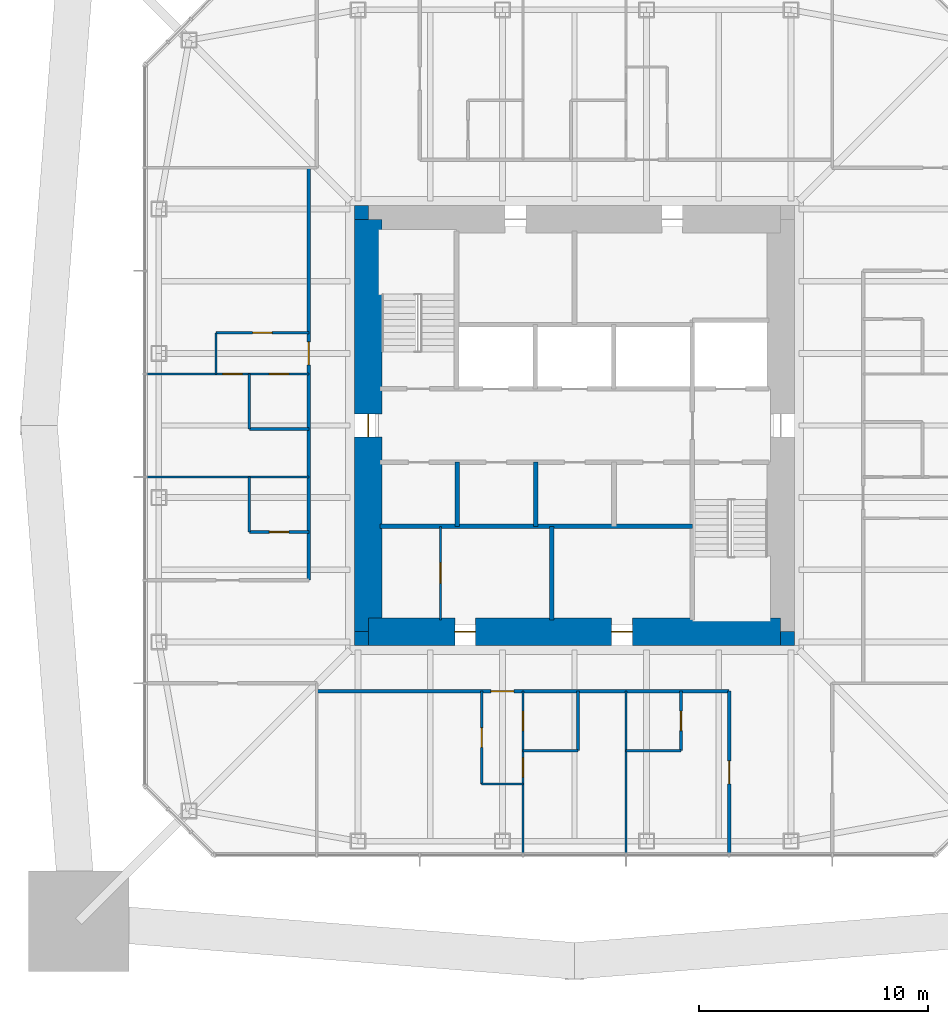
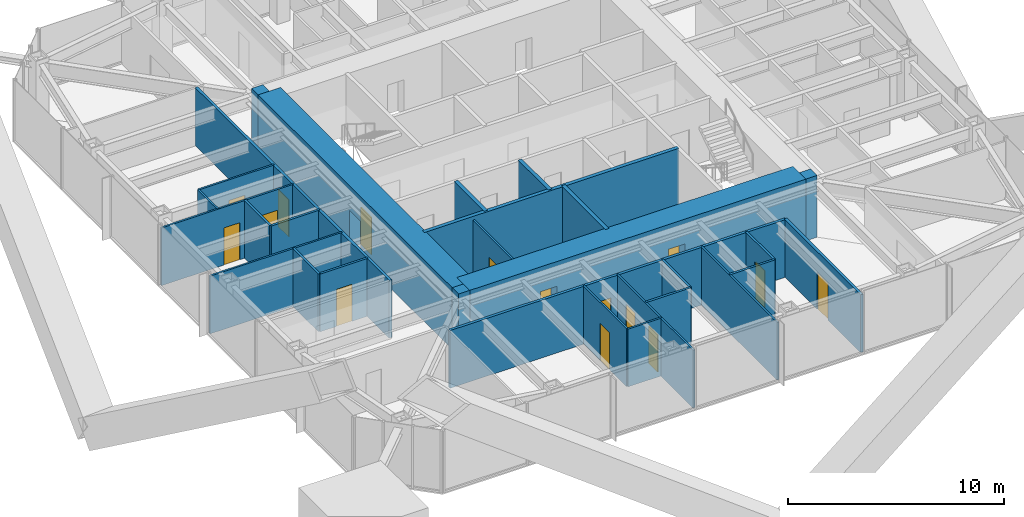
# One storey, part 8 of 13: 29 walls, 15 doors, 15 openings.
"""IFC4 building model written with IfcOpenShell, lengths in metres."""

from ifc_helpers import new_model, si_unit, direction, frame, frame_2d, origin, place, context, subcontext, project, spatial, rectangle, extrude, material, layer, layer_set, type_object, element, fill, save


model = new_model("IFC4")

# Units and contexts
model_context = context("Model", 3, precision=1e-05, world=origin(), true_north=direction((0.0, 1.0)))
body_context = subcontext(model_context, "Body", "Model", "MODEL_VIEW")
ifc_project = project(units=[si_unit("LENGTHUNIT", "METRE"), si_unit("AREAUNIT", "SQUARE_METRE"), si_unit("VOLUMEUNIT", "CUBIC_METRE"), si_unit("PLANEANGLEUNIT", "RADIAN"), si_unit("MASSUNIT", "GRAM", prefix="KILO")], contexts=[model_context])

# Site, building, storey
site_placement = place(None, origin())
site = spatial("IfcSite", under=ifc_project, at=site_placement, CompositionType="ELEMENT")
building_placement = place(site_placement, origin())
building = spatial("IfcBuilding", under=site, at=building_placement, Name="Iwan Alto Co-Living Towers", CompositionType="ELEMENT")
storey_placement = place(building_placement, frame((0.0, 0.0, 167.0)))
storey = spatial("IfcBuildingStorey", under=building, at=storey_placement, Name="L45", CompositionType="ELEMENT", Elevation=167.0)

# Wall, opening, door
ifc_material_1 = material(Name="Gypsum board")
ifc_layer_1 = layer(ifc_material_1, 0.02490234375, Name="Board", Category="Finish")
ifc_material_2 = material(Name="Steel ASTM A1003 ST33H cold-formed studs", Category="steel")
ifc_layer_2 = layer(ifc_material_2, 0.10009765625, Name="Studs", Category="Framing")
ifc_layer_3 = layer(ifc_material_1, 0.02490234375, Name="Board", Category="Finish")
ifc_layer_set_1 = layer_set([ifc_layer_1, ifc_layer_2, ifc_layer_3], Name="CORRIDOR WALL 150")
wall_type_1 = type_object("IfcWallType", Name="CORRIDOR WALL 150", PredefinedType="PARTITIONING", material=ifc_layer_set_1)
wall_1_placement = place(storey_placement, frame((-11.25, -11.60009765625, 0.0), z_axis=(0.0, 0.0, 1.0), x_axis=(1.0, 0.0, 0.0)))
wall_1 = element("IfcWall", 1, at=wall_1_placement, inside=storey, type_object=wall_type_1, Name="Partition L45", PredefinedType="PARTITIONING", context=body_context, shape_type="SweptSolid", body=[
    extrude(rectangle(XDim=18.0, YDim=0.14990234375, at=frame_2d((9.0, 0.0))), origin(), (0.0, 0.0, 1.0), 3.27001953125),
])
opening_1_placement = place(wall_1_placement, frame((7.60009765625, 0.0, 0.0)))
opening_1 = element("IfcOpeningElement", 2, at=opening_1_placement, cuts=wall_1, Name="Opening D3", PredefinedType="OPENING", context=body_context, shape_type="SweptSolid", body=[
    extrude(rectangle(XDim=1.0, YDim=2.10009765625, at=frame_2d((0.5, 1.050048828125))), frame((0.0, 0.0849609375, 0.0), z_axis=(0.0, -1.0, 0.0), x_axis=(1.0, 0.0, 0.0)), (0.0, 0.0, 1.0), 0.169921875),
])
ifc_material_3 = material(Name="Steel frame with timber leaf", Category="steel")
door_type_1 = type_object("IfcDoorType", Name="FLAT ENTRANCE DOOR FD30S 1000X2100", OperationType="SINGLE_SWING_LEFT", PredefinedType="DOOR", material=ifc_material_3)
door_1_placement = place(opening_1_placement, frame((1.0, 0.0, 0.0), z_axis=(0.0, 0.0, 1.0), x_axis=(-1.0, 0.0, 0.0)))
door_1 = element("IfcDoor", 3, at=door_1_placement, inside=storey, type_object=door_type_1, Name="Apartment foyer door L45", OperationType="SINGLE_SWING_RIGHT", OverallHeight=2.10009765625, OverallWidth=1.0, PredefinedType="DOOR", context=body_context, shape_type="SweptSolid", body=[
    extrude(rectangle(XDim=1.0, YDim=2.10009765625, at=frame_2d((0.5, 1.050048828125))), frame((0.0, 0.02490234375, 0.0), z_axis=(0.0, -1.0, 0.0), x_axis=(1.0, 0.0, 0.0)), (0.0, 0.0, 1.0), 0.050048828125),
])
fill(opening_1, door_1)

wall_2_placement = place(storey_placement, frame((6.75, -18.68994140625, 0.0), z_axis=(0.0, 0.0, 1.0), x_axis=(0.0, 1.0, 0.0)))
wall_2 = element("IfcWall", 4, at=wall_2_placement, inside=storey, type_object=wall_type_1, Name="Partition L45", PredefinedType="PARTITIONING", context=body_context, shape_type="SweptSolid", body=[
    extrude(rectangle(XDim=7.08984375, YDim=0.14990234375, at=frame_2d((3.544921875, 0.0))), origin(), (0.0, 0.0, 1.0), 3.27001953125),
])
opening_2_placement = place(wall_2_placement, frame((3.044921875, 0.0, 0.0)))
opening_2 = element("IfcOpeningElement", 5, at=opening_2_placement, cuts=wall_2, Name="Opening D3", PredefinedType="OPENING", context=body_context, shape_type="SweptSolid", body=[
    extrude(rectangle(XDim=1.0, YDim=2.10009765625, at=frame_2d((0.5, 1.050048828125))), frame((0.0, 0.0849609375, 0.0), z_axis=(0.0, -1.0, 0.0), x_axis=(1.0, 0.0, 0.0)), (0.0, 0.0, 1.0), 0.169921875),
])
door_2_placement = place(opening_2_placement, origin())
door_2 = element("IfcDoor", 6, at=door_2_placement, inside=storey, type_object=door_type_1, Name="Studio door L45", OperationType="SINGLE_SWING_RIGHT", OverallHeight=2.10009765625, OverallWidth=1.0, PredefinedType="DOOR", context=body_context, shape_type="SweptSolid", body=[
    extrude(rectangle(XDim=1.0, YDim=2.10009765625, at=frame_2d((0.5, 1.050048828125))), frame((0.0, 0.02490234375, 0.0), z_axis=(0.0, -1.0, 0.0), x_axis=(1.0, 0.0, 0.0)), (0.0, 0.0, 1.0), 0.050048828125),
])
fill(opening_2, door_2)

wall_3_placement = place(storey_placement, frame((-11.60009765625, -6.75, 0.0), z_axis=(0.0, 0.0, 1.0), x_axis=(0.0, 1.0, 0.0)))
wall_3 = element("IfcWall", 7, at=wall_3_placement, inside=storey, type_object=wall_type_1, Name="Partition L45", PredefinedType="PARTITIONING", context=body_context, shape_type="SweptSolid", body=[
    extrude(rectangle(XDim=18.0, YDim=0.14990234375, at=frame_2d((9.0, 0.0))), origin(), (0.0, 0.0, 1.0), 3.27001953125),
])
opening_3_placement = place(wall_3_placement, frame((9.39990234375, 0.0, 0.0)))
opening_3 = element("IfcOpeningElement", 8, at=opening_3_placement, cuts=wall_3, Name="Opening D3", PredefinedType="OPENING", context=body_context, shape_type="SweptSolid", body=[
    extrude(rectangle(XDim=1.0, YDim=2.10009765625, at=frame_2d((0.5, 1.050048828125))), frame((0.0, 0.0849609375, 0.0), z_axis=(0.0, -1.0, 0.0), x_axis=(1.0, 0.0, 0.0)), (0.0, 0.0, 1.0), 0.169921875),
])
door_3_placement = place(opening_3_placement, origin())
door_3 = element("IfcDoor", 9, at=door_3_placement, inside=storey, type_object=door_type_1, Name="Apartment foyer door L45", OperationType="SINGLE_SWING_LEFT", OverallHeight=2.10009765625, OverallWidth=1.0, PredefinedType="DOOR", context=body_context, shape_type="SweptSolid", body=[
    extrude(rectangle(XDim=1.0, YDim=2.10009765625, at=frame_2d((0.5, 1.050048828125))), frame((0.0, 0.02490234375, 0.0), z_axis=(0.0, -1.0, 0.0), x_axis=(1.0, 0.0, 0.0)), (0.0, 0.0, 1.0), 0.050048828125),
])
fill(opening_3, door_3)

# Walls
ifc_layer_4 = layer(ifc_material_1, 0.012451171875, Name="Board", Category="Finish")
ifc_layer_5 = layer(ifc_material_2, 0.074951171875, Name="Studs", Category="Framing")
ifc_layer_6 = layer(ifc_material_1, 0.012451171875, Name="Board", Category="Finish")
ifc_layer_set_2 = layer_set([ifc_layer_4, ifc_layer_5, ifc_layer_6], Name="PARTITION 100")
wall_type_2 = type_object("IfcWallType", Name="PARTITION 100", PredefinedType="PARTITIONING", material=ifc_layer_set_2)
wall_4_placement = place(storey_placement, frame((-4.050048828125, -15.64990234375, 0.0), z_axis=(0.0, 0.0, 1.0), x_axis=(1.0, 0.0, 0.0)))
element("IfcWall", 10, at=wall_4_placement, inside=storey, type_object=wall_type_2, Name="Partition L45", PredefinedType="PARTITIONING", context=body_context, shape_type="SweptSolid", body=[
    extrude(rectangle(XDim=1.800048828125, YDim=0.10009765625, at=frame_2d((0.89990234375, 0.0))), origin(), (0.0, 0.0, 1.0), 3.27001953125),
])
wall_5_placement = place(storey_placement, frame((-18.68994140625, -2.25, 0.0), z_axis=(0.0, 0.0, 1.0), x_axis=(1.0, 0.0, 0.0)))
element("IfcWall", 11, at=wall_5_placement, inside=storey, type_object=wall_type_2, Name="Partition L45", PredefinedType="PARTITIONING", context=body_context, shape_type="SweptSolid", body=[
    extrude(rectangle(XDim=7.08984375, YDim=0.10009765625, at=frame_2d((3.544921875, 0.0))), origin(), (0.0, 0.0, 1.0), 3.27001953125),
])

# Wall, openings, doors
wall_6_placement = place(storey_placement, frame((-18.68994140625, 2.25, 0.0), z_axis=(0.0, 0.0, 1.0), x_axis=(1.0, 0.0, 0.0)))
wall_6 = element("IfcWall", 12, at=wall_6_placement, inside=storey, type_object=wall_type_2, Name="Partition L45", PredefinedType="PARTITIONING", context=body_context, shape_type="SweptSolid", body=[
    extrude(rectangle(XDim=7.08984375, YDim=0.10009765625, at=frame_2d((3.544921875, 0.0))), origin(), (0.0, 0.0, 1.0), 3.27001953125),
])
opening_4_placement = place(wall_6_placement, frame((3.340087890625, 0.0, 0.0)))
opening_4 = element("IfcOpeningElement", 13, at=opening_4_placement, cuts=wall_6, Name="Opening D2", PredefinedType="OPENING", context=body_context, shape_type="SweptSolid", body=[
    extrude(rectangle(XDim=0.85009765625, YDim=2.10009765625, at=frame_2d((0.425048828125, 1.050048828125))), frame((0.0, 0.06005859375, 0.0), z_axis=(0.0, -1.0, 0.0), x_axis=(1.0, 0.0, 0.0)), (0.0, 0.0, 1.0), 0.1201171875),
])
opening_5_placement = place(wall_6_placement, frame((5.364990234375, 0.0, 0.0)))
opening_5 = element("IfcOpeningElement", 14, at=opening_5_placement, cuts=wall_6, Name="Opening D2", PredefinedType="OPENING", context=body_context, shape_type="SweptSolid", body=[
    extrude(rectangle(XDim=0.85009765625, YDim=2.10009765625, at=frame_2d((0.425048828125, 1.050048828125))), frame((0.0, 0.06005859375, 0.0), z_axis=(0.0, -1.0, 0.0), x_axis=(1.0, 0.0, 0.0)), (0.0, 0.0, 1.0), 0.1201171875),
])
ifc_material_4 = material(Name="Timber leaf in steel frame", Category="steel")
door_type_2 = type_object("IfcDoorType", Name="ROOM DOOR 850X2100", OperationType="SINGLE_SWING_LEFT", PredefinedType="DOOR", material=ifc_material_4)
door_4_placement = place(opening_4_placement, frame((0.85009765625, 0.0, 0.0), z_axis=(0.0, 0.0, 1.0), x_axis=(-1.0, 0.0, 0.0)))
door_4 = element("IfcDoor", 15, at=door_4_placement, inside=storey, type_object=door_type_2, Name="Bedroom door L45", OperationType="SINGLE_SWING_LEFT", OverallHeight=2.10009765625, OverallWidth=0.85009765625, PredefinedType="DOOR", context=body_context, shape_type="SweptSolid", body=[
    extrude(rectangle(XDim=0.85009765625, YDim=2.10009765625, at=frame_2d((0.425048828125, 1.050048828125))), frame((0.0, 0.02490234375, 0.0), z_axis=(0.0, -1.0, 0.0), x_axis=(1.0, 0.0, 0.0)), (0.0, 0.0, 1.0), 0.050048828125),
])
fill(opening_4, door_4)
door_5_placement = place(opening_5_placement, frame((0.85009765625, 0.0, 0.0), z_axis=(0.0, 0.0, 1.0), x_axis=(-1.0, 0.0, 0.0)))
door_5 = element("IfcDoor", 16, at=door_5_placement, inside=storey, type_object=door_type_2, Name="Bathroom door L45", OperationType="SINGLE_SWING_RIGHT", OverallHeight=2.10009765625, OverallWidth=0.85009765625, PredefinedType="DOOR", context=body_context, shape_type="SweptSolid", body=[
    extrude(rectangle(XDim=0.85009765625, YDim=2.10009765625, at=frame_2d((0.425048828125, 1.050048828125))), frame((0.0, 0.02490234375, 0.0), z_axis=(0.0, -1.0, 0.0), x_axis=(1.0, 0.0, 0.0)), (0.0, 0.0, 1.0), 0.050048828125),
])
fill(opening_5, door_5)

# Wall, opening, door
wall_7_placement = place(storey_placement, frame((-15.64990234375, 4.050048828125, 0.0), z_axis=(0.0, 0.0, 1.0), x_axis=(1.0, 0.0, 0.0)))
wall_7 = element("IfcWall", 17, at=wall_7_placement, inside=storey, type_object=wall_type_2, Name="Partition L45", PredefinedType="PARTITIONING", context=body_context, shape_type="SweptSolid", body=[
    extrude(rectangle(XDim=4.0498046875, YDim=0.10009765625, at=frame_2d((2.02490234375, 0.0))), origin(), (0.0, 0.0, 1.0), 3.27001953125),
])
opening_6_placement = place(wall_7_placement, frame((1.60009765625, 0.0, 0.0)))
opening_6 = element("IfcOpeningElement", 18, at=opening_6_placement, cuts=wall_7, Name="Opening D2", PredefinedType="OPENING", context=body_context, shape_type="SweptSolid", body=[
    extrude(rectangle(XDim=0.85009765625, YDim=2.10009765625, at=frame_2d((0.425048828125, 1.050048828125))), frame((0.0, 0.06005859375, 0.0), z_axis=(0.0, -1.0, 0.0), x_axis=(1.0, 0.0, 0.0)), (0.0, 0.0, 1.0), 0.1201171875),
])
door_6_placement = place(opening_6_placement, origin())
door_6 = element("IfcDoor", 19, at=door_6_placement, inside=storey, type_object=door_type_2, Name="Apartment foyer door L45", OperationType="SINGLE_SWING_RIGHT", OverallHeight=2.10009765625, OverallWidth=0.85009765625, PredefinedType="DOOR", context=body_context, shape_type="SweptSolid", body=[
    extrude(rectangle(XDim=0.85009765625, YDim=2.10009765625, at=frame_2d((0.425048828125, 1.050048828125))), frame((0.0, 0.02490234375, 0.0), z_axis=(0.0, -1.0, 0.0), x_axis=(1.0, 0.0, 0.0)), (0.0, 0.0, 1.0), 0.050048828125),
])
fill(opening_6, door_6)

# Wall
wall_8_placement = place(storey_placement, frame((2.25, -18.68994140625, 0.0), z_axis=(0.0, 0.0, 1.0), x_axis=(0.0, 1.0, 0.0)))
element("IfcWall", 20, at=wall_8_placement, inside=storey, type_object=wall_type_2, Name="Partition L45", PredefinedType="PARTITIONING", context=body_context, shape_type="SweptSolid", body=[
    extrude(rectangle(XDim=7.08984375, YDim=0.10009765625, at=frame_2d((3.544921875, 0.0))), origin(), (0.0, 0.0, 1.0), 3.27001953125),
])

# Wall, openings, doors
wall_9_placement = place(storey_placement, frame((-2.25, -18.68994140625, 0.0), z_axis=(0.0, 0.0, 1.0), x_axis=(0.0, 1.0, 0.0)))
wall_9 = element("IfcWall", 21, at=wall_9_placement, inside=storey, type_object=wall_type_2, Name="Partition L45", PredefinedType="PARTITIONING", context=body_context, shape_type="SweptSolid", body=[
    extrude(rectangle(XDim=7.08984375, YDim=0.10009765625, at=frame_2d((3.544921875, 0.0))), origin(), (0.0, 0.0, 1.0), 3.27001953125),
])
opening_7_placement = place(wall_9_placement, frame((3.340087890625, 0.0, 0.0)))
opening_7 = element("IfcOpeningElement", 22, at=opening_7_placement, cuts=wall_9, Name="Opening D2", PredefinedType="OPENING", context=body_context, shape_type="SweptSolid", body=[
    extrude(rectangle(XDim=0.85009765625, YDim=2.10009765625, at=frame_2d((0.425048828125, 1.050048828125))), frame((0.0, 0.06005859375, 0.0), z_axis=(0.0, -1.0, 0.0), x_axis=(1.0, 0.0, 0.0)), (0.0, 0.0, 1.0), 0.1201171875),
])
opening_8_placement = place(wall_9_placement, frame((5.364990234375, 0.0, 0.0)))
opening_8 = element("IfcOpeningElement", 23, at=opening_8_placement, cuts=wall_9, Name="Opening D2", PredefinedType="OPENING", context=body_context, shape_type="SweptSolid", body=[
    extrude(rectangle(XDim=0.85009765625, YDim=2.10009765625, at=frame_2d((0.425048828125, 1.050048828125))), frame((0.0, 0.06005859375, 0.0), z_axis=(0.0, -1.0, 0.0), x_axis=(1.0, 0.0, 0.0)), (0.0, 0.0, 1.0), 0.1201171875),
])
door_7_placement = place(opening_7_placement, frame((0.85009765625, 0.0, 0.0), z_axis=(0.0, 0.0, 1.0), x_axis=(-1.0, 0.0, 0.0)))
door_7 = element("IfcDoor", 24, at=door_7_placement, inside=storey, type_object=door_type_2, Name="Bedroom door L45", OperationType="SINGLE_SWING_LEFT", OverallHeight=2.10009765625, OverallWidth=0.85009765625, PredefinedType="DOOR", context=body_context, shape_type="SweptSolid", body=[
    extrude(rectangle(XDim=0.85009765625, YDim=2.10009765625, at=frame_2d((0.425048828125, 1.050048828125))), frame((0.0, 0.02490234375, 0.0), z_axis=(0.0, -1.0, 0.0), x_axis=(1.0, 0.0, 0.0)), (0.0, 0.0, 1.0), 0.050048828125),
])
fill(opening_7, door_7)
door_8_placement = place(opening_8_placement, frame((0.85009765625, 0.0, 0.0), z_axis=(0.0, 0.0, 1.0), x_axis=(-1.0, 0.0, 0.0)))
door_8 = element("IfcDoor", 25, at=door_8_placement, inside=storey, type_object=door_type_2, Name="Bathroom door L45", OperationType="SINGLE_SWING_RIGHT", OverallHeight=2.10009765625, OverallWidth=0.85009765625, PredefinedType="DOOR", context=body_context, shape_type="SweptSolid", body=[
    extrude(rectangle(XDim=0.85009765625, YDim=2.10009765625, at=frame_2d((0.425048828125, 1.050048828125))), frame((0.0, 0.02490234375, 0.0), z_axis=(0.0, -1.0, 0.0), x_axis=(1.0, 0.0, 0.0)), (0.0, 0.0, 1.0), 0.050048828125),
])
fill(opening_8, door_8)

# Wall, opening, door
wall_10_placement = place(storey_placement, frame((-4.050048828125, -15.64990234375, 0.0), z_axis=(0.0, 0.0, 1.0), x_axis=(0.0, 1.0, 0.0)))
wall_10 = element("IfcWall", 26, at=wall_10_placement, inside=storey, type_object=wall_type_2, Name="Partition L45", PredefinedType="PARTITIONING", context=body_context, shape_type="SweptSolid", body=[
    extrude(rectangle(XDim=4.0498046875, YDim=0.10009765625, at=frame_2d((2.02490234375, 0.0))), origin(), (0.0, 0.0, 1.0), 3.27001953125),
])
opening_9_placement = place(wall_10_placement, frame((1.60009765625, 0.0, 0.0)))
opening_9 = element("IfcOpeningElement", 27, at=opening_9_placement, cuts=wall_10, Name="Opening D2", PredefinedType="OPENING", context=body_context, shape_type="SweptSolid", body=[
    extrude(rectangle(XDim=0.85009765625, YDim=2.10009765625, at=frame_2d((0.425048828125, 1.050048828125))), frame((0.0, 0.06005859375, 0.0), z_axis=(0.0, -1.0, 0.0), x_axis=(1.0, 0.0, 0.0)), (0.0, 0.0, 1.0), 0.1201171875),
])
door_9_placement = place(opening_9_placement, origin())
door_9 = element("IfcDoor", 28, at=door_9_placement, inside=storey, type_object=door_type_2, Name="Apartment foyer door L45", OperationType="SINGLE_SWING_RIGHT", OverallHeight=2.10009765625, OverallWidth=0.85009765625, PredefinedType="DOOR", context=body_context, shape_type="SweptSolid", body=[
    extrude(rectangle(XDim=0.85009765625, YDim=2.10009765625, at=frame_2d((0.425048828125, 1.050048828125))), frame((0.0, 0.02490234375, 0.0), z_axis=(0.0, -1.0, 0.0), x_axis=(1.0, 0.0, 0.0)), (0.0, 0.0, 1.0), 0.050048828125),
])
fill(opening_9, door_9)

wall_11_placement = place(storey_placement, frame((-5.85009765625, -8.489990234375, 0.0), z_axis=(0.0, 0.0, 1.0), x_axis=(0.0, 1.0, 0.0)))
wall_11 = element("IfcWall", 29, at=wall_11_placement, inside=storey, type_object=wall_type_2, Name="Partition L45", PredefinedType="PARTITIONING", context=body_context, shape_type="SweptSolid", body=[
    extrude(rectangle(XDim=4.090087890625, YDim=0.10009765625, at=frame_2d((2.044921875, 0.0))), origin(), (0.0, 0.0, 1.0), 3.300048828125),
])
opening_10_placement = place(wall_11_placement, frame((1.594970703125, 0.0, 0.0)))
opening_10 = element("IfcOpeningElement", 30, at=opening_10_placement, cuts=wall_11, Name="Opening D16", PredefinedType="OPENING", context=body_context, shape_type="SweptSolid", body=[
    extrude(rectangle(XDim=0.89990234375, YDim=2.10009765625, at=frame_2d((0.449951171875, 1.050048828125))), frame((0.0, 0.06005859375, 0.0), z_axis=(0.0, -1.0, 0.0), x_axis=(1.0, 0.0, 0.0)), (0.0, 0.0, 1.0), 0.1201171875),
])
ifc_material_5 = material(Name="Timber leaf in steel frame", Category="steel")
door_type_3 = type_object("IfcDoorType", Name="CUPBOARD SLIDING DOOR 900X2100", OperationType="SLIDING_TO_LEFT", PredefinedType="DOOR", material=ifc_material_5)
door_10_placement = place(opening_10_placement, origin())
door_10 = element("IfcDoor", 31, at=door_10_placement, inside=storey, type_object=door_type_3, Name="Bin store door L45", OperationType="SLIDING_TO_LEFT", OverallHeight=2.10009765625, OverallWidth=0.89990234375, PredefinedType="DOOR", context=body_context, shape_type="SweptSolid", body=[
    extrude(rectangle(XDim=0.89990234375, YDim=2.10009765625, at=frame_2d((0.449951171875, 1.050048828125))), frame((0.0, 0.02490234375, 0.0), z_axis=(0.0, -1.0, 0.0), x_axis=(1.0, 0.0, 0.0)), (0.0, 0.0, 1.0), 0.050048828125),
])
fill(opening_10, door_10)

# Walls
wall_12_placement = place(storey_placement, frame((-15.64990234375, 2.25, 0.0), z_axis=(0.0, 0.0, 1.0), x_axis=(0.0, 1.0, 0.0)))
element("IfcWall", 32, at=wall_12_placement, inside=storey, type_object=wall_type_2, Name="Partition L45", PredefinedType="PARTITIONING", context=body_context, shape_type="SweptSolid", body=[
    extrude(rectangle(XDim=1.800048828125, YDim=0.10009765625, at=frame_2d((0.89990234375, 0.0))), origin(), (0.0, 0.0, 1.0), 3.27001953125),
])
ifc_material_6 = material(Name="Concrete f'c 70 MPa", Category="concrete")
ifc_layer_7 = layer(ifc_material_6, 0.199951171875)
ifc_layer_set_3 = layer_set([ifc_layer_7], Name="SHAFT WALL 200")
wall_type_3 = type_object("IfcWallType", Name="SHAFT WALL 200", PredefinedType="SOLIDWALL", material=ifc_layer_set_3)
wall_13_placement = place(storey_placement, frame((-8.489990234375, -4.39990234375, 0.0), z_axis=(0.0, 0.0, 1.0), x_axis=(1.0, 0.0, 0.0)))
element("IfcWall", 33, at=wall_13_placement, inside=storey, type_object=wall_type_3, Name="Shaft wall L45", PredefinedType="SOLIDWALL", context=body_context, shape_type="SweptSolid", body=[
    extrude(rectangle(XDim=13.639892578125, YDim=0.199951171875, at=frame_2d((6.81982421875, 0.0))), origin(), (0.0, 0.0, 1.0), 3.5),
])
wall_14_placement = place(storey_placement, frame((-1.0, -8.489990234375, 0.0), z_axis=(0.0, 0.0, 1.0), x_axis=(0.0, 1.0, 0.0)))
element("IfcWall", 34, at=wall_14_placement, inside=storey, type_object=wall_type_3, Name="Shaft wall L45", PredefinedType="SOLIDWALL", context=body_context, shape_type="SweptSolid", body=[
    extrude(rectangle(XDim=4.090087890625, YDim=0.199951171875, at=frame_2d((2.044921875, 0.0))), origin(), (0.0, 0.0, 1.0), 3.5),
])
for number, where, z_axis, x_axis, name in (
    (35, (-1.699951171875, -4.39990234375, 0.0), (0.0, 0.0, 1.0), (0.0, 1.0, 0.0), "Shaft wall L45"),
    (36, (-5.125, -4.39990234375, 0.0), (0.0, 0.0, 1.0), (0.0, 1.0, 0.0), "Shaft wall L45"),
):
    element("IfcWall", number, at=place(storey_placement, frame(where, z_axis=z_axis, x_axis=x_axis)), inside=storey, type_object=wall_type_3, Name=name, PredefinedType="SOLIDWALL", context=body_context, shape_type="SweptSolid", body=[
        extrude(rectangle(XDim=2.7998046875, YDim=0.199951171875, at=frame_2d((1.39990234375, 0.0))), origin(), (0.0, 0.0, 1.0), 3.5),
    ])
ifc_material_7 = material(Name="Concrete f'c 70 MPa", Category="concrete")
ifc_layer_8 = layer(ifc_material_7, 0.60009765625)
ifc_layer_set_4 = layer_set([ifc_layer_8], Name="T1 CORE CORNER FILL 600")
wall_type_4 = type_object("IfcWallType", Name="T1 CORE CORNER FILL 600", PredefinedType="SOLIDWALL", material=ifc_layer_set_4)
for number, where, z_axis, x_axis, name in (
    (37, (-9.60009765625, -9.300048828125, 0.0), (0.0, 0.0, 1.0), (1.0, 0.0, 0.0), "T1 core corner SW L45"),
    (38, (9.0, -9.300048828125, 0.0), (0.0, 0.0, 1.0), (1.0, 0.0, 0.0), "T1 core corner SE L45"),
    (39, (-9.60009765625, 9.300048828125, 0.0), (0.0, 0.0, 1.0), (1.0, 0.0, 0.0), "T1 core corner NW L45"),
):
    element("IfcWall", number, at=place(storey_placement, frame(where, z_axis=z_axis, x_axis=x_axis)), inside=storey, type_object=wall_type_4, Name=name, PredefinedType="SOLIDWALL", context=body_context, shape_type="SweptSolid", body=[
        extrude(rectangle(XDim=0.60009765625, YDim=0.60009765625, at=frame_2d((0.300048828125, 0.0))), origin(), (0.0, 0.0, 1.0), 3.5),
    ])

# Wall, openings, doors
ifc_material_8 = material(Name="Concrete f'c 70 MPa", Category="concrete")
ifc_layer_9 = layer(ifc_material_8, 1.199951171875)
ifc_layer_set_5 = layer_set([ifc_layer_9], Name="T1 CORE WALL 1200")
wall_type_5 = type_object("IfcWallType", Name="T1 CORE WALL 1200", PredefinedType="SHEAR", material=ifc_layer_set_5)
wall_15_placement = place(storey_placement, frame((-9.0, -9.0, 0.0), z_axis=(0.0, 0.0, 1.0), x_axis=(1.0, 0.0, 0.0)))
wall_15 = element("IfcWall", 40, at=wall_15_placement, inside=storey, type_object=wall_type_5, Name="T1 core wall S L45", PredefinedType="SHEAR", context=body_context, shape_type="SweptSolid", body=[
    extrude(rectangle(XDim=18.0, YDim=1.199951171875, at=frame_2d((9.0, 0.0))), origin(), (0.0, 0.0, 1.0), 3.5),
])
opening_11_placement = place(wall_15_placement, frame((3.77490234375, 0.0, 0.0)))
opening_11 = element("IfcOpeningElement", 41, at=opening_11_placement, cuts=wall_15, Name="Opening D8", PredefinedType="OPENING", context=body_context, shape_type="SweptSolid", body=[
    extrude(rectangle(XDim=0.89990234375, YDim=2.10009765625, at=frame_2d((0.449951171875, 1.050048828125))), frame((0.0, 0.60986328125, 0.0), z_axis=(0.0, -1.0, 0.0), x_axis=(1.0, 0.0, 0.0)), (0.0, 0.0, 1.0), 1.219970703125),
])
opening_12_placement = place(wall_15_placement, frame((10.625, 0.0, 0.0)))
opening_12 = element("IfcOpeningElement", 42, at=opening_12_placement, cuts=wall_15, Name="Opening D8", PredefinedType="OPENING", context=body_context, shape_type="SweptSolid", body=[
    extrude(rectangle(XDim=0.89990234375, YDim=2.10009765625, at=frame_2d((0.449951171875, 1.050048828125))), frame((0.0, 0.60986328125, 0.0), z_axis=(0.0, -1.0, 0.0), x_axis=(1.0, 0.0, 0.0)), (0.0, 0.0, 1.0), 1.219970703125),
])
ifc_material_9 = material(Name="Steel frame with timber leaf", Category="steel")
door_type_4 = type_object("IfcDoorType", Name="RISER DOOR FD120 900X2100", OperationType="SINGLE_SWING_LEFT", PredefinedType="DOOR", material=ifc_material_9)
door_11_placement = place(opening_11_placement, origin())
door_11 = element("IfcDoor", 43, at=door_11_placement, inside=storey, type_object=door_type_4, Name="Refuse room core door L45", OperationType="SINGLE_SWING_LEFT", OverallHeight=2.10009765625, OverallWidth=0.89990234375, PredefinedType="DOOR", context=body_context, shape_type="SweptSolid", body=[
    extrude(rectangle(XDim=0.89990234375, YDim=2.10009765625, at=frame_2d((0.449951171875, 1.050048828125))), frame((0.0, 0.02490234375, 0.0), z_axis=(0.0, -1.0, 0.0), x_axis=(1.0, 0.0, 0.0)), (0.0, 0.0, 1.0), 0.050048828125),
])
fill(opening_11, door_11)
door_12_placement = place(opening_12_placement, origin())
door_12 = element("IfcDoor", 44, at=door_12_placement, inside=storey, type_object=door_type_4, Name="Telecom riser core door L45", OperationType="SINGLE_SWING_LEFT", OverallHeight=2.10009765625, OverallWidth=0.89990234375, PredefinedType="DOOR", context=body_context, shape_type="SweptSolid", body=[
    extrude(rectangle(XDim=0.89990234375, YDim=2.10009765625, at=frame_2d((0.449951171875, 1.050048828125))), frame((0.0, 0.02490234375, 0.0), z_axis=(0.0, -1.0, 0.0), x_axis=(1.0, 0.0, 0.0)), (0.0, 0.0, 1.0), 0.050048828125),
])
fill(opening_12, door_12)

# Wall, opening, door
wall_16_placement = place(storey_placement, frame((-9.0, 9.0, 0.0), z_axis=(0.0, 0.0, 1.0), x_axis=(0.0, -1.0, 0.0)))
wall_16 = element("IfcWall", 45, at=wall_16_placement, inside=storey, type_object=wall_type_5, Name="T1 core wall W L45", PredefinedType="SHEAR", context=body_context, shape_type="SweptSolid", body=[
    extrude(rectangle(XDim=18.0, YDim=1.199951171875, at=frame_2d((9.0, 0.0))), origin(), (0.0, 0.0, 1.0), 3.5),
])
opening_13_placement = place(wall_16_placement, frame((8.5, 0.0, 0.0)))
opening_13 = element("IfcOpeningElement", 46, at=opening_13_placement, cuts=wall_16, Name="Opening D7", PredefinedType="OPENING", context=body_context, shape_type="SweptSolid", body=[
    extrude(rectangle(XDim=1.0, YDim=2.10009765625, at=frame_2d((0.5, 1.050048828125))), frame((0.0, 0.60986328125, 0.0), z_axis=(0.0, -1.0, 0.0), x_axis=(1.0, 0.0, 0.0)), (0.0, 0.0, 1.0), 1.219970703125),
])
ifc_material_10 = material(Name="Steel frame with timber leaf", Category="steel")
door_type_5 = type_object("IfcDoorType", Name="CORE DOOR FD120S 1000X2100", OperationType="SINGLE_SWING_LEFT", PredefinedType="DOOR", material=ifc_material_10)
door_13_placement = place(opening_13_placement, origin())
door_13 = element("IfcDoor", 47, at=door_13_placement, inside=storey, type_object=door_type_5, Name="Lift lobby core door L45", OperationType="SINGLE_SWING_RIGHT", OverallHeight=2.10009765625, OverallWidth=1.0, PredefinedType="DOOR", context=body_context, shape_type="SweptSolid", body=[
    extrude(rectangle(XDim=1.0, YDim=2.10009765625, at=frame_2d((0.5, 1.050048828125))), frame((0.0, 0.02490234375, 0.0), z_axis=(0.0, -1.0, 0.0), x_axis=(1.0, 0.0, 0.0)), (0.0, 0.0, 1.0), 0.050048828125),
])
fill(opening_13, door_13)

# Walls
ifc_material_11 = material(Name="Cement board")
ifc_layer_10 = layer(ifc_material_11, 0.012451171875, Name="Board", Category="Finish")
ifc_layer_11 = layer(ifc_material_2, 0.094970703125, Name="Studs", Category="Framing")
ifc_layer_12 = layer(ifc_material_11, 0.012451171875, Name="Board", Category="Finish")
ifc_layer_set_6 = layer_set([ifc_layer_10, ifc_layer_11, ifc_layer_12], Name="WET AREA PARTITION 120")
wall_type_6 = type_object("IfcWallType", Name="WET AREA PARTITION 120", PredefinedType="PARTITIONING", material=ifc_layer_set_6)
for number, where, z_axis, x_axis, name in (
    (48, (-2.25, -14.199951171875, 0.0), (0.0, 0.0, 1.0), (1.0, 0.0, 0.0), "Partition L45"),
    (49, (2.25, -14.199951171875, 0.0), (0.0, 0.0, 1.0), (1.0, 0.0, 0.0), "Partition L45"),
):
    element("IfcWall", number, at=place(storey_placement, frame(where, z_axis=z_axis, x_axis=x_axis)), inside=storey, type_object=wall_type_6, Name=name, PredefinedType="PARTITIONING", context=body_context, shape_type="SweptSolid", body=[
        extrude(rectangle(XDim=2.39990234375, YDim=0.1201171875, at=frame_2d((1.199951171875, 0.0))), origin(), (0.0, 0.0, 1.0), 3.27001953125),
    ])

# Wall, opening, door
wall_17_placement = place(storey_placement, frame((-14.199951171875, -4.64990234375, 0.0), z_axis=(0.0, 0.0, 1.0), x_axis=(1.0, 0.0, 0.0)))
wall_17 = element("IfcWall", 50, at=wall_17_placement, inside=storey, type_object=wall_type_6, Name="Partition L45", PredefinedType="PARTITIONING", context=body_context, shape_type="SweptSolid", body=[
    extrude(rectangle(XDim=2.599853515625, YDim=0.1201171875, at=frame_2d((1.2998046875, 0.0))), origin(), (0.0, 0.0, 1.0), 3.27001953125),
])
opening_14_placement = place(wall_17_placement, frame((0.875, 0.0, 0.0)))
opening_14 = element("IfcOpeningElement", 51, at=opening_14_placement, cuts=wall_17, Name="Opening D2", PredefinedType="OPENING", context=body_context, shape_type="SweptSolid", body=[
    extrude(rectangle(XDim=0.85009765625, YDim=2.10009765625, at=frame_2d((0.425048828125, 1.050048828125))), frame((0.0, 0.070068359375, 0.0), z_axis=(0.0, -1.0, 0.0), x_axis=(1.0, 0.0, 0.0)), (0.0, 0.0, 1.0), 0.14013671875),
])
door_14_placement = place(opening_14_placement, frame((0.85009765625, 0.0, 0.0), z_axis=(0.0, 0.0, 1.0), x_axis=(-1.0, 0.0, 0.0)))
door_14 = element("IfcDoor", 52, at=door_14_placement, inside=storey, type_object=door_type_2, Name="En-suite shower room door L45", OperationType="SINGLE_SWING_LEFT", OverallHeight=2.10009765625, OverallWidth=0.85009765625, PredefinedType="DOOR", context=body_context, shape_type="SweptSolid", body=[
    extrude(rectangle(XDim=0.85009765625, YDim=2.10009765625, at=frame_2d((0.425048828125, 1.050048828125))), frame((0.0, 0.02490234375, 0.0), z_axis=(0.0, -1.0, 0.0), x_axis=(1.0, 0.0, 0.0)), (0.0, 0.0, 1.0), 0.050048828125),
])
fill(opening_14, door_14)

# Wall
wall_18_placement = place(storey_placement, frame((-14.199951171875, -0.14990234375, 0.0), z_axis=(0.0, 0.0, 1.0), x_axis=(1.0, 0.0, 0.0)))
element("IfcWall", 53, at=wall_18_placement, inside=storey, type_object=wall_type_6, Name="Partition L45", PredefinedType="PARTITIONING", context=body_context, shape_type="SweptSolid", body=[
    extrude(rectangle(XDim=2.599853515625, YDim=0.1201171875, at=frame_2d((1.2998046875, 0.0))), origin(), (0.0, 0.0, 1.0), 3.27001953125),
])

# Wall, opening, door
wall_19_placement = place(storey_placement, frame((4.64990234375, -14.199951171875, 0.0), z_axis=(0.0, 0.0, 1.0), x_axis=(0.0, 1.0, 0.0)))
wall_19 = element("IfcWall", 54, at=wall_19_placement, inside=storey, type_object=wall_type_6, Name="Partition L45", PredefinedType="PARTITIONING", context=body_context, shape_type="SweptSolid", body=[
    extrude(rectangle(XDim=2.599853515625, YDim=0.1201171875, at=frame_2d((1.2998046875, 0.0))), origin(), (0.0, 0.0, 1.0), 3.27001953125),
])
opening_15_placement = place(wall_19_placement, frame((0.875, 0.0, 0.0)))
opening_15 = element("IfcOpeningElement", 55, at=opening_15_placement, cuts=wall_19, Name="Opening D2", PredefinedType="OPENING", context=body_context, shape_type="SweptSolid", body=[
    extrude(rectangle(XDim=0.85009765625, YDim=2.10009765625, at=frame_2d((0.425048828125, 1.050048828125))), frame((0.0, 0.070068359375, 0.0), z_axis=(0.0, -1.0, 0.0), x_axis=(1.0, 0.0, 0.0)), (0.0, 0.0, 1.0), 0.14013671875),
])
door_15_placement = place(opening_15_placement, frame((0.85009765625, 0.0, 0.0), z_axis=(0.0, 0.0, 1.0), x_axis=(-1.0, 0.0, 0.0)))
door_15 = element("IfcDoor", 56, at=door_15_placement, inside=storey, type_object=door_type_2, Name="En-suite shower room door L45", OperationType="SINGLE_SWING_LEFT", OverallHeight=2.10009765625, OverallWidth=0.85009765625, PredefinedType="DOOR", context=body_context, shape_type="SweptSolid", body=[
    extrude(rectangle(XDim=0.85009765625, YDim=2.10009765625, at=frame_2d((0.425048828125, 1.050048828125))), frame((0.0, 0.02490234375, 0.0), z_axis=(0.0, -1.0, 0.0), x_axis=(1.0, 0.0, 0.0)), (0.0, 0.0, 1.0), 0.050048828125),
])
fill(opening_15, door_15)

# Walls
wall_20_placement = place(storey_placement, frame((0.14990234375, -14.199951171875, 0.0), z_axis=(0.0, 0.0, 1.0), x_axis=(0.0, 1.0, 0.0)))
element("IfcWall", 57, at=wall_20_placement, inside=storey, type_object=wall_type_6, Name="Partition L45", PredefinedType="PARTITIONING", context=body_context, shape_type="SweptSolid", body=[
    extrude(rectangle(XDim=2.599853515625, YDim=0.1201171875, at=frame_2d((1.2998046875, 0.0))), origin(), (0.0, 0.0, 1.0), 3.27001953125),
])
for number, where, z_axis, x_axis, name in (
    (58, (-14.199951171875, -4.64990234375, 0.0), (0.0, 0.0, 1.0), (0.0, 1.0, 0.0), "Partition L45"),
    (59, (-14.199951171875, -0.14990234375, 0.0), (0.0, 0.0, 1.0), (0.0, 1.0, 0.0), "Partition L45"),
):
    element("IfcWall", number, at=place(storey_placement, frame(where, z_axis=z_axis, x_axis=x_axis)), inside=storey, type_object=wall_type_6, Name=name, PredefinedType="PARTITIONING", context=body_context, shape_type="SweptSolid", body=[
        extrude(rectangle(XDim=2.39990234375, YDim=0.1201171875, at=frame_2d((1.199951171875, 0.0))), origin(), (0.0, 0.0, 1.0), 3.27001953125),
    ])

save(model, "model.ifc")
